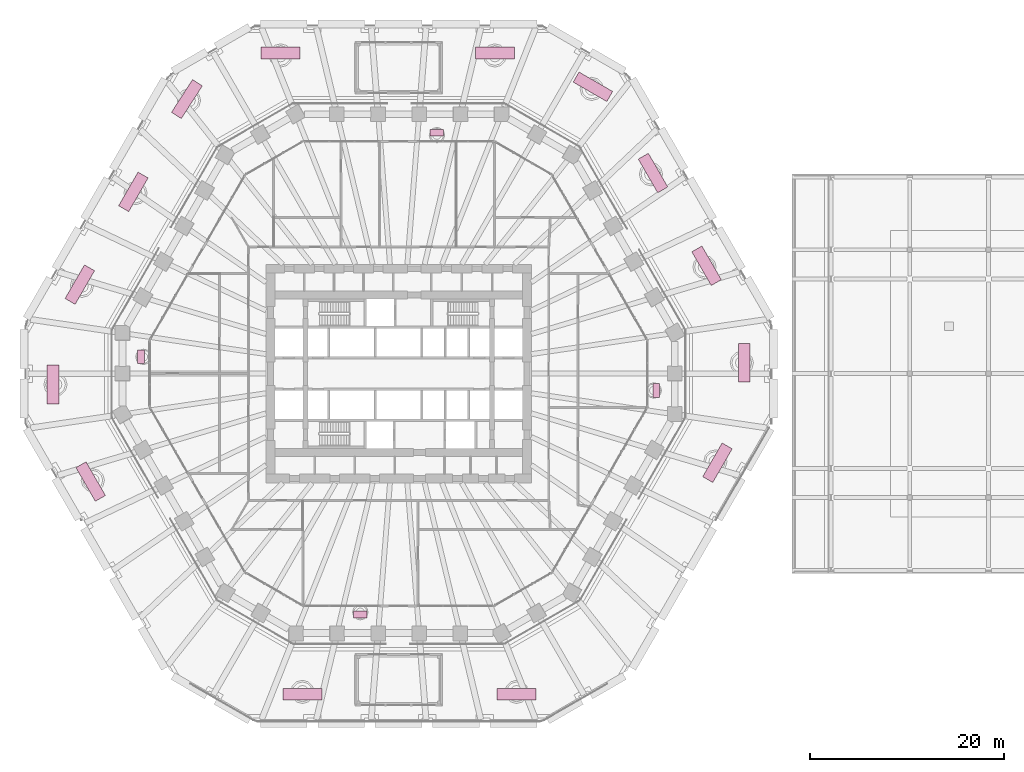
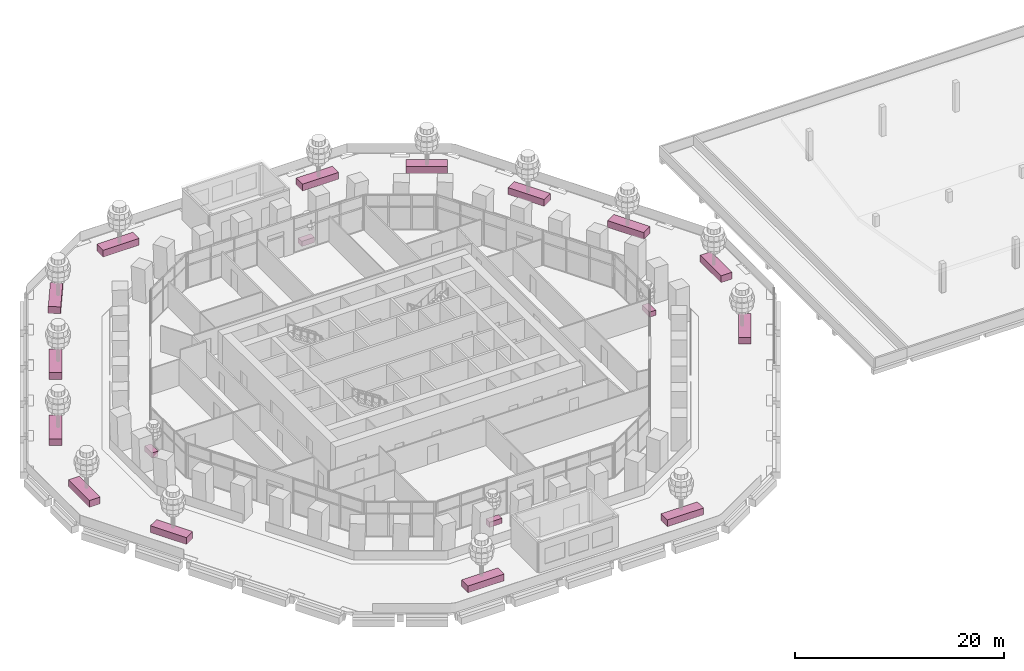
# One storey, part 30 of 32: 18 furniture elements.
"""IFC4 building model written with IfcOpenShell, lengths in metres."""

import ifcopenshell
import ifcopenshell.guid

model = None  # the IFC model being written
_history = None  # IfcOwnerHistory: only IFC2X3 demands one
_inside = {}  # id of a spatial element -> (the spatial element, [elements in it])
_under = {}  # id of a project, library or spatial element -> (it, [spatial elements below it])
_declared = {}  # id of a project -> (the project, [libraries it declares])
_typed = {}  # id of a type object -> (the type object, [elements of that type])
_made_of = {}  # id of a material, layer set ... -> (it, [elements and type objects made of it])


def new_model(schema):
    """Start an empty IFC model of exactly this schema.

    Asked for "IFC4X3", IfcOpenShell would pick the latest addendum, in which some entities
    have other attributes; the version numbers below select the first issue.
    IFC2X3 requires an IfcOwnerHistory on every rooted entity: one is made here for all.
    """
    global model, _history
    if schema == "IFC4X3":
        model = ifcopenshell.file(schema_version=(4, 3, 0, 0))
    else:
        model = ifcopenshell.file(schema=schema)
    _inside.clear()
    _under.clear()
    _declared.clear()
    _typed.clear()
    _made_of.clear()
    _history = None
    if model.schema == "IFC2X3":
        org = make("IfcOrganization", Name="unknown")
        user = make(
            "IfcPersonAndOrganization",
            ThePerson=make("IfcPerson", FamilyName="unknown"),
            TheOrganization=org,
        )
        app = make(
            "IfcApplication",
            ApplicationDeveloper=org,
            Version="unknown",
            ApplicationFullName="unknown",
            ApplicationIdentifier="unknown",
        )
        _history = make(
            "IfcOwnerHistory",
            OwningUser=user,
            OwningApplication=app,
            ChangeAction="ADDED",
            CreationDate=0,
        )
    return model


def make(cls, **values):
    """One entity of the class cls with the attributes given. An attribute that is None is left unset."""
    return model.create_entity(
        cls, **{name: value for name, value in values.items() if value is not None}
    )


def rooted(cls, **values):
    """An entity with a GlobalId (a new one), such as an element, a storey or a relation."""
    return make(cls, GlobalId=ifcopenshell.guid.new(), OwnerHistory=_history, **values)


def si_unit(unit_type, name, prefix=None):
    """IfcSIUnit, for example si_unit("LENGTHUNIT", "METRE", prefix="MILLI")."""
    return make("IfcSIUnit", UnitType=unit_type, Prefix=prefix, Name=name)


def assignment(units):
    """IfcUnitAssignment: the units of a project."""
    return None if units is None else make("IfcUnitAssignment", Units=units)


def point(xyz):
    """IfcCartesianPoint."""
    return None if xyz is None else make("IfcCartesianPoint", Coordinates=xyz)


def direction(xyz):
    """IfcDirection."""
    return None if xyz is None else make("IfcDirection", DirectionRatios=xyz)


def frame(location, z_axis=None, x_axis=None):
    """IfcAxis2Placement3D, a coordinate frame: its origin and axes. An axis left out is left unset."""
    return make(
        "IfcAxis2Placement3D",
        Location=point(location),
        Axis=direction(z_axis),
        RefDirection=direction(x_axis),
    )


def frame_2d(location, x_axis=None):
    """IfcAxis2Placement2D, a coordinate frame in the plane: its origin and x axis."""
    return make(
        "IfcAxis2Placement2D", Location=point(location), RefDirection=direction(x_axis)
    )


def origin():
    """The frame at (0, 0, 0) with its axes left unset."""
    return frame((0.0, 0.0, 0.0))


def origin_2d():
    """The frame at (0, 0) in the plane with its x axis left unset."""
    return frame_2d((0.0, 0.0))


def place(relative_to, where):
    """IfcLocalPlacement: puts the frame where relative to a parent placement (None: the world)."""
    return make(
        "IfcLocalPlacement", PlacementRelTo=relative_to, RelativePlacement=where
    )


def context(
    kind, dimensions, precision=None, world=None, true_north=None, identifier=None
):
    """IfcGeometricRepresentationContext, for example the 3D "Model" context."""
    return make(
        "IfcGeometricRepresentationContext",
        ContextIdentifier=identifier,
        ContextType=kind,
        CoordinateSpaceDimension=dimensions,
        Precision=precision,
        WorldCoordinateSystem=world,
        TrueNorth=true_north,
    )


def subcontext(parent, identifier, kind, view, scale=None):
    """IfcGeometricRepresentationSubContext, for example "Body" below "Model"."""
    return make(
        "IfcGeometricRepresentationSubContext",
        ContextIdentifier=identifier,
        ContextType=kind,
        ParentContext=parent,
        TargetScale=scale,
        TargetView=view,
    )


def project(units=None, contexts=None):
    """IfcProject with its units and contexts."""
    return rooted(
        "IfcProject",
        Name="project",
        RepresentationContexts=contexts,
        UnitsInContext=assignment(units),
    )


def spatial(cls, under=None, at=None, **own):
    """A site, building, storey or space (cls), placed at a placement, below another one or the project."""
    s = rooted(cls, ObjectPlacement=at, **own)
    if under is not None:
        _under.setdefault(under.id(), (under, []))[1].append(s)
    return s


def profile(cls, at=None, kind="AREA", **sizes):
    """A parametric profile (cls). Its sizes go by their IFC names, for example OverallWidth=200.0."""
    return make(cls, ProfileType=kind, Position=at, **sizes)


def rectangle(**sizes):
    """IfcRectangleProfileDef."""
    return profile("IfcRectangleProfileDef", **sizes)


def extrude(swept, where, along, depth):
    """IfcExtrudedAreaSolid: the profile swept, set in the frame where, extruded along a direction by depth."""
    return make(
        "IfcExtrudedAreaSolid",
        SweptArea=swept,
        Position=where,
        ExtrudedDirection=direction(along),
        Depth=depth,
    )


def shape(context_of_items, identifier, shape_type, items):
    """IfcShapeRepresentation: the items that make up one representation, for example the "Body"."""
    return make(
        "IfcShapeRepresentation",
        ContextOfItems=context_of_items,
        RepresentationIdentifier=identifier,
        RepresentationType=shape_type,
        Items=items,
    )


def material(Name=None, Category=None):
    """IfcMaterial."""
    return make("IfcMaterial", Name=Name, Category=Category)


def made_of(thing, what):
    """Note that an element or type object is made of a material, layer set ...; save() writes the relation."""
    if what is not None:
        _made_of.setdefault(what.id(), (what, []))[1].append(thing)
    return thing


def type_object(cls, material=None, **own):
    """A type object (cls), such as IfcWallType, which elements share."""
    return made_of(rooted(cls, **own), material)


def element(
    cls,
    number,
    at=None,
    inside=None,
    cuts=None,
    type_object=None,
    material=None,
    context=None,
    identifier="Body",
    shape_type=None,
    held_by="IfcProductDefinitionShape",
    body=None,
    shapes=None,
    **own,
):
    """One element of the class cls, such as IfcWall. Its Tag is "e" and its number.

    at: its placement. inside: the storey or other place that contains it. cuts: it is an
    opening in that element (IfcRelVoidsElement). A single representation is given by context,
    identifier, shape_type and body (its items); several are given by shapes. held_by: the class
    of the entity that holds the representations. save() writes the other relations.
    """
    e = rooted(cls, Tag="e%d" % number, ObjectPlacement=at, **own)
    if body is not None:
        shapes = [shape(context, identifier, shape_type, body)]
    if shapes is not None:
        e.Representation = make(held_by, Representations=shapes)
    if inside is not None:
        _inside.setdefault(inside.id(), (inside, []))[1].append(e)
    if cuts is not None:
        rooted(
            "IfcRelVoidsElement", RelatingBuildingElement=cuts, RelatedOpeningElement=e
        )
    if type_object is not None:
        _typed.setdefault(type_object.id(), (type_object, []))[1].append(e)
    return made_of(e, material)


def aggregate(whole, parts):
    """IfcRelAggregates: a whole, such as a stair, and the parts it consists of."""
    return rooted("IfcRelAggregates", RelatingObject=whole, RelatedObjects=parts)


def save(model, path):
    """Write the relations noted so far, then the file.

    IfcRelAggregates (storeys below a building ...), IfcRelContainedInSpatialStructure (elements
    in a storey), IfcRelDefinesByType, IfcRelAssociatesMaterial and IfcRelDeclares: one each for
    every whole, place, type object, material and project.
    """
    for whole, parts in _under.values():
        aggregate(whole, parts)
    for where, things in _inside.values():
        rooted(
            "IfcRelContainedInSpatialStructure",
            RelatedElements=things,
            RelatingStructure=where,
        )
    for kind, things in _typed.values():
        rooted("IfcRelDefinesByType", RelatedObjects=things, RelatingType=kind)
    for what, things in _made_of.values():
        rooted("IfcRelAssociatesMaterial", RelatedObjects=things, RelatingMaterial=what)
    for by, libraries in _declared.values():
        rooted("IfcRelDeclares", RelatingContext=by, RelatedDefinitions=libraries)
    model.write(path)


model = new_model("IFC4")

# Units and contexts
model_context = context("Model", 3, precision=1e-05, world=origin(), true_north=direction((0.0, 1.0)))
body_context = subcontext(model_context, "Body", "Model", "MODEL_VIEW")
ifc_project = project(units=[si_unit("LENGTHUNIT", "METRE"), si_unit("AREAUNIT", "SQUARE_METRE"), si_unit("VOLUMEUNIT", "CUBIC_METRE"), si_unit("PLANEANGLEUNIT", "RADIAN"), si_unit("MASSUNIT", "GRAM", prefix="KILO")], contexts=[model_context])

# Site, building, storey
site_placement = place(None, origin())
site = spatial("IfcSite", under=ifc_project, at=site_placement, CompositionType="ELEMENT")
building_placement = place(site_placement, origin())
building = spatial("IfcBuilding", under=site, at=building_placement, Name="Frailejon Research Tower", CompositionType="ELEMENT")
storey_placement = place(building_placement, frame((0.0, 0.0, 14.60009765625)))
storey = spatial("IfcBuildingStorey", under=building, at=storey_placement, Name="L03", CompositionType="ELEMENT", Elevation=14.60009765625)

# Furniture
ifc_material_1 = material(Name="Precast concrete C30/37 planter, terracotta", Category="masonry")
furniture_type_1 = type_object("IfcFurnitureType", Name="Garden planter 4000x1200", AssemblyPlace="NOTDEFINED", PredefinedType="USERDEFINED", material=ifc_material_1)
for number, where, z_axis, x_axis, name in (
    (1, (35.569091796875, 1.11962890625, 0.02978515625), (0.0, 0.0, 1.0), (0.0, 1.0, 0.0), "Planter L03"),
    (2, (31.693603515625, 11.10498046875, 0.02978515625), (0.0, 0.0, 1.0), (-0.5, 0.866025403784, 0.0), "Planter L03"),
    (3, (26.181640625, 20.65185546875, 0.02978515625), (0.0, 0.0, 1.0), (-0.5, 0.866025403784, 0.0), "Planter L03"),
    (4, (19.997314453125, 29.5263671875, 0.02978515625), (0.0, 0.0, 1.0), (-0.866025403784, 0.5, 0.0), "Planter L03"),
    (5, (9.904296875, 33.0, 0.02978515625), (0.0, 0.0, 1.0), (-1.0, 0.0, 0.0), "Planter L03"),
    (6, (-12.1435546875, 33.0, 0.02978515625), (0.0, 0.0, 1.0), (-1.0, 0.0, 0.0), "Planter L03"),
    (7, (-21.789306640625, 28.259521484375, 0.02978515625), (0.0, 0.0, 1.0), (-0.54236382363, -0.840143727476, 0.0), "Planter L03"),
    (8, (-27.30126953125, 18.712646484375, 0.02978515625), (0.0, 0.0, 1.0), (-0.5, -0.866025403784, 0.0), "Planter L03"),
    (9, (-32.813232421875, 9.165771484375, 0.02978515625), (0.0, 0.0, 1.0), (-0.5, -0.866025403784, 0.0), "Planter L03"),
    (10, (-35.569091796875, -1.11962890625, 0.02978515625), (0.0, 0.0, 1.0), (0.0, -1.0, 0.0), "Planter L03"),
    (11, (-31.693603515625, -11.10498046875, 0.02978515625), (0.0, 0.0, 1.0), (0.5, -0.866025403784, 0.0), "Planter L03"),
    (12, (-9.904296875, -33.0, 0.02978515625), (0.0, 0.0, 1.0), (1.0, 0.0, 0.0), "Planter L03"),
    (13, (12.1435546875, -33.0, 0.02978515625), (0.0, 0.0, 1.0), (1.0, 0.0, 0.0), "Planter L03"),
    (14, (32.813232421875, -9.165771484375, 0.02978515625), (0.0, 0.0, 1.0), (0.5, 0.866025403784, 0.0), "Planter L03"),
):
    element("IfcFurniture", number, at=place(storey_placement, frame(where, z_axis=z_axis, x_axis=x_axis)), inside=storey, type_object=furniture_type_1, Name=name, ObjectType="PLANTER", PredefinedType="USERDEFINED", context=body_context, shape_type="SweptSolid", body=[
        extrude(rectangle(XDim=4.0, YDim=1.199951171875, at=origin_2d()), origin(), (0.0, 0.0, 1.0), 0.800048828125),
    ])
ifc_material_2 = material(Name="Precast concrete C30/37 planter, terracotta", Category="masonry")
furniture_type_2 = type_object("IfcFurnitureType", Name="Loggia planter 1400x700", AssemblyPlace="NOTDEFINED", PredefinedType="USERDEFINED", material=ifc_material_2)
for number, where, z_axis, x_axis, name in (
    (15, (26.5126953125, -1.732177734375, -0.000244140625), (0.0, 0.0, 1.0), (0.0, 1.0, 0.0), "Planter L03"),
    (16, (3.942626953125, 24.800048828125, -0.000244140625), (0.0, 0.0, 1.0), (-1.0, 0.0, 0.0), "Planter L03"),
    (17, (-26.5126953125, 1.732177734375, -0.000244140625), (0.0, 0.0, 1.0), (0.0, -1.0, 0.0), "Planter L03"),
    (18, (-3.942626953125, -24.800048828125, -0.000244140625), (0.0, 0.0, 1.0), (1.0, 0.0, 0.0), "Planter L03"),
):
    element("IfcFurniture", number, at=place(storey_placement, frame(where, z_axis=z_axis, x_axis=x_axis)), inside=storey, type_object=furniture_type_2, Name=name, ObjectType="PLANTER", PredefinedType="USERDEFINED", context=body_context, shape_type="SweptSolid", body=[
        extrude(rectangle(XDim=1.39990234375, YDim=0.699951171875, at=origin_2d()), origin(), (0.0, 0.0, 1.0), 0.60009765625),
    ])

save(model, "model.ifc")
